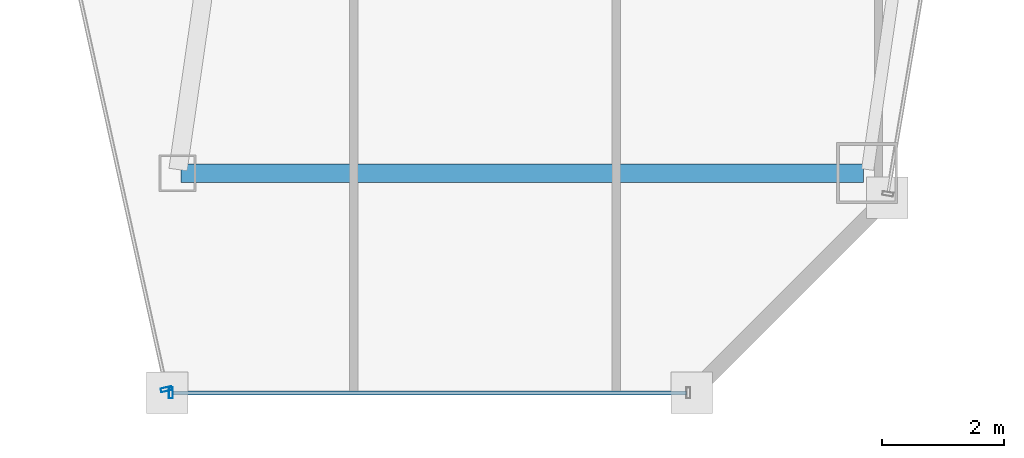
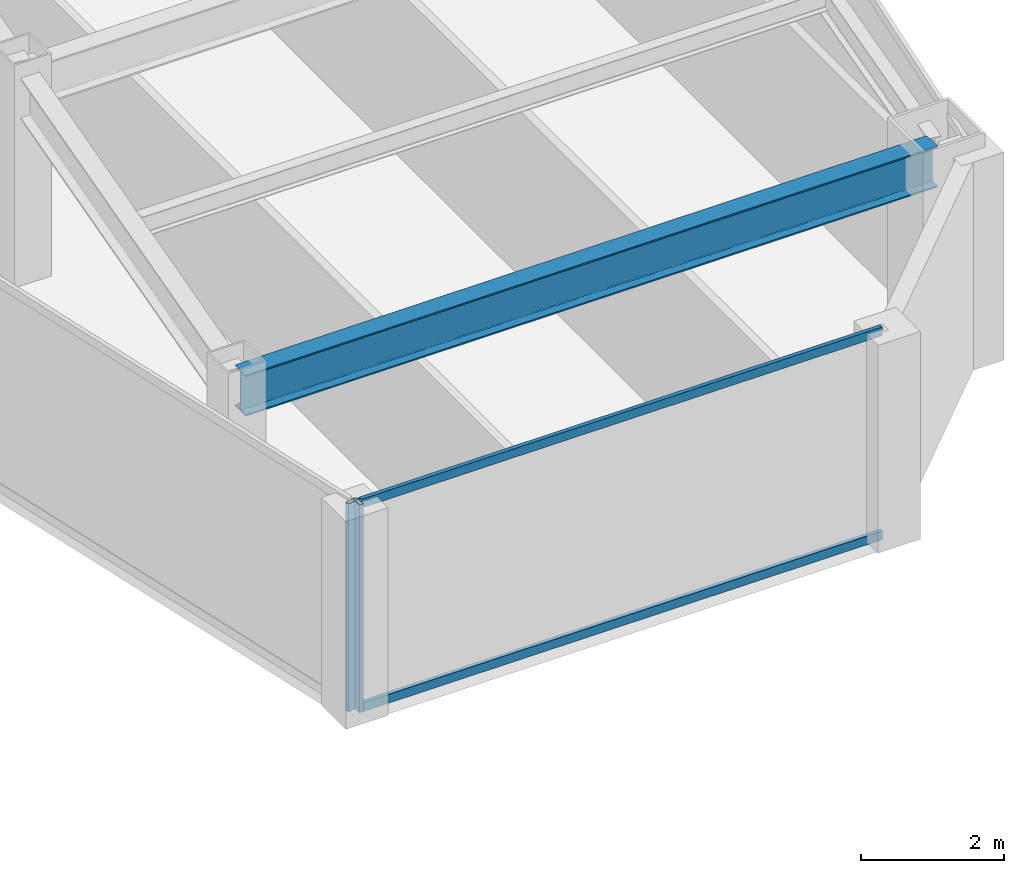
# One storey, part 15 of 35: 4 members, 1 beam, 2 elements without a shape of their own.
"""IFC4 building model written with IfcOpenShell, lengths in metres."""

from ifc_helpers import new_model, si_unit, direction, frame, origin, origin_2d, place, context, subcontext, project, spatial, hollow_rectangle, i_section, extrude, material, material_profile, profile_set, type_object, element, aggregate, save


model = new_model("IFC4")

# Units and contexts
model_context = context("Model", 3, precision=1e-05, world=origin(), true_north=direction((0.0, 1.0)))
body_context = subcontext(model_context, "Body", "Model", "MODEL_VIEW")
ifc_project = project(units=[si_unit("LENGTHUNIT", "METRE"), si_unit("AREAUNIT", "SQUARE_METRE"), si_unit("VOLUMEUNIT", "CUBIC_METRE"), si_unit("PLANEANGLEUNIT", "RADIAN"), si_unit("MASSUNIT", "GRAM", prefix="KILO")], contexts=[model_context])

# Site, building, storey
site_placement = place(None, origin())
site = spatial("IfcSite", under=ifc_project, at=site_placement, CompositionType="ELEMENT")
building_placement = place(site_placement, origin())
building = spatial("IfcBuilding", under=site, at=building_placement, Name="Saevonmaru Cultural Tower", CompositionType="ELEMENT")
storey_placement = place(building_placement, frame((0.0, 0.0, 175.199951171875)))
storey = spatial("IfcBuildingStorey", under=building, at=storey_placement, Name="L39", CompositionType="ELEMENT", Elevation=175.199951171875)

# Beam
ifc_material_1 = material(Name="Steel SM355", Category="steel")
ifc_material_profile_1 = material_profile(ifc_material_1, i_section(OverallWidth=0.300048828125, OverallDepth=0.699951171875, WebThickness=0.012939453125, FlangeThickness=0.02392578125, FilletRadius=0.02587890625, at=origin_2d()), Name="H-700x300x13x24")
ifc_profile_set_1 = profile_set([ifc_material_profile_1], Name="Steel SM355")
beam_type = type_object("IfcBeamType", Name="BM-G-H700", PredefinedType="BEAM", material=ifc_profile_set_1)
beam_placement = place(storey_placement, frame((38.132080078125, 16.0, 3.199951171875), z_axis=(1.0, 0.0, 0.0), x_axis=(0.0, 1.0, 0.0)))
element("IfcBeam", 1, at=beam_placement, inside=storey, type_object=beam_type, Name="L39 East Wing Transverse Girder 1", PredefinedType="BEAM", context=body_context, shape_type="SweptSolid", body=[
    extrude(i_section(OverallWidth=0.300048828125, OverallDepth=0.699951171875, WebThickness=0.012939453125, FlangeThickness=0.02392578125, FilletRadius=0.02587890625, at=origin_2d()), origin(), (0.0, 0.0, 1.0), 11.179931640625),
])

# Curtain wall, member
ifc_material_2 = material(Name="Satin Bronze Anodised Aluminium", Category="aluminium")
curtain_wall_type = type_object("IfcCurtainWallType", Name="CW-TYP-B", PredefinedType="NOTDEFINED", material=ifc_material_2)
curtain_wall_1_placement = place(storey_placement, origin())
curtain_wall_1 = element("IfcCurtainWall", 2, at=curtain_wall_1_placement, inside=storey, type_object=curtain_wall_type, Name="L39 Unitised Curtain Wall E5", PredefinedType="NOTDEFINED")
ifc_material_profile_2 = material_profile(ifc_material_2, hollow_rectangle(XDim=0.06494140625, YDim=0.179931640625, WallThickness=0.00390625, at=origin_2d()), Name="ALU-MULL-180x65x4")
ifc_profile_set_2 = profile_set([ifc_material_profile_2], Name="Satin Bronze Anodised Aluminium")
member_type_1 = type_object("IfcMemberType", Name="ML-CW-180x65", PredefinedType="MULLION", material=ifc_profile_set_2)
member_1_placement = place(storey_placement, frame((37.889404296875, 12.45849609375, 0.0), z_axis=(0.0, 0.0, 1.0), x_axis=(0.215413319953, -0.976522965212, 0.0)))
member_1 = element("IfcMember", 3, at=member_1_placement, type_object=member_type_1, Name="CW-TW-L39-E5 mullion 2", PredefinedType="MULLION", context=body_context, shape_type="SweptSolid", body=[
    extrude(hollow_rectangle(XDim=0.06494140625, YDim=0.179931640625, WallThickness=0.00390625, at=origin_2d()), origin(), (0.0, 0.0, 1.0), 3.550048828125),
])
aggregate(curtain_wall_1, [member_1])

# Curtain wall, members
curtain_wall_2_placement = place(storey_placement, origin())
curtain_wall_2 = element("IfcCurtainWall", 4, at=curtain_wall_2_placement, inside=storey, type_object=curtain_wall_type, Name="L39 Unitised Curtain Wall E6", PredefinedType="NOTDEFINED")
member_2_placement = place(storey_placement, frame((37.962158203125, 12.39990234375, 0.0), z_axis=(0.0, 0.0, 1.0), x_axis=(1.0, 0.0, 0.0)))
member_2 = element("IfcMember", 5, at=member_2_placement, type_object=member_type_1, Name="CW-TW-L39-E6 mullion 1", PredefinedType="MULLION", context=body_context, shape_type="SweptSolid", body=[
    extrude(hollow_rectangle(XDim=0.06494140625, YDim=0.179931640625, WallThickness=0.00390625, at=origin_2d()), origin(), (0.0, 0.0, 1.0), 3.550048828125),
])
ifc_material_profile_3 = material_profile(ifc_material_2, hollow_rectangle(XDim=0.06494140625, YDim=0.14990234375, WallThickness=0.00390625, at=origin_2d()), Name="ALU-TRAN-150x65x4")
ifc_profile_set_3 = profile_set([ifc_material_profile_3], Name="Satin Bronze Anodised Aluminium")
member_type_2 = type_object("IfcMemberType", Name="TR-CW-150x65", PredefinedType="USERDEFINED", material=ifc_profile_set_3)
member_3_placement = place(storey_placement, frame((37.99462890625, 12.39990234375, 0.032470703125), z_axis=(1.0, 0.0, 0.0), x_axis=(0.0, 1.0, 0.0)))
member_3 = element("IfcMember", 6, at=member_3_placement, type_object=member_type_2, Name="CW-TW-L39-E6 transom 1.1", ObjectType="TRANSOM", PredefinedType="USERDEFINED", context=body_context, shape_type="SweptSolid", body=[
    extrude(hollow_rectangle(XDim=0.06494140625, YDim=0.14990234375, WallThickness=0.00390625, at=origin_2d()), origin(), (0.0, 0.0, 1.0), 8.4150390625),
])
member_4_placement = place(storey_placement, frame((37.99462890625, 12.39990234375, 3.517578125), z_axis=(1.0, 0.0, 0.0), x_axis=(0.0, 1.0, 0.0)))
member_4 = element("IfcMember", 7, at=member_4_placement, type_object=member_type_2, Name="CW-TW-L39-E6 transom 1.2", ObjectType="TRANSOM", PredefinedType="USERDEFINED", context=body_context, shape_type="SweptSolid", body=[
    extrude(hollow_rectangle(XDim=0.06494140625, YDim=0.14990234375, WallThickness=0.00390625, at=origin_2d()), origin(), (0.0, 0.0, 1.0), 8.4150390625),
])
aggregate(curtain_wall_2, [member_2, member_3, member_4])

save(model, "model.ifc")
